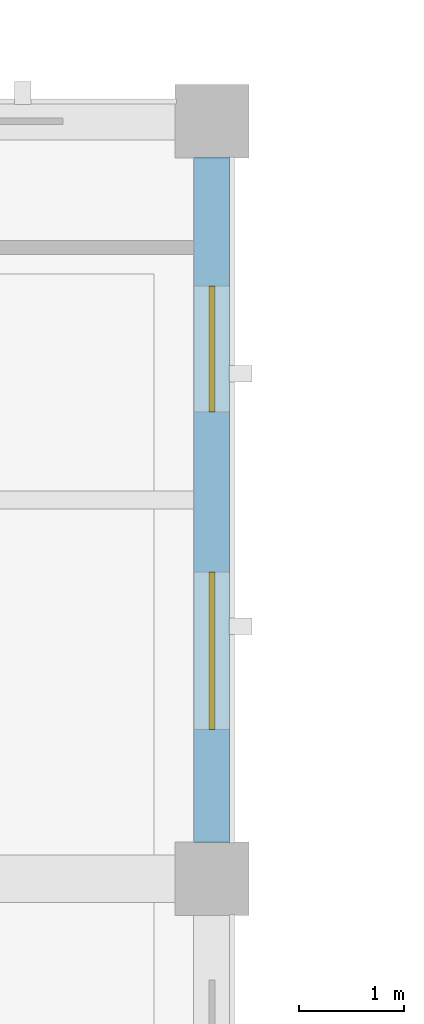
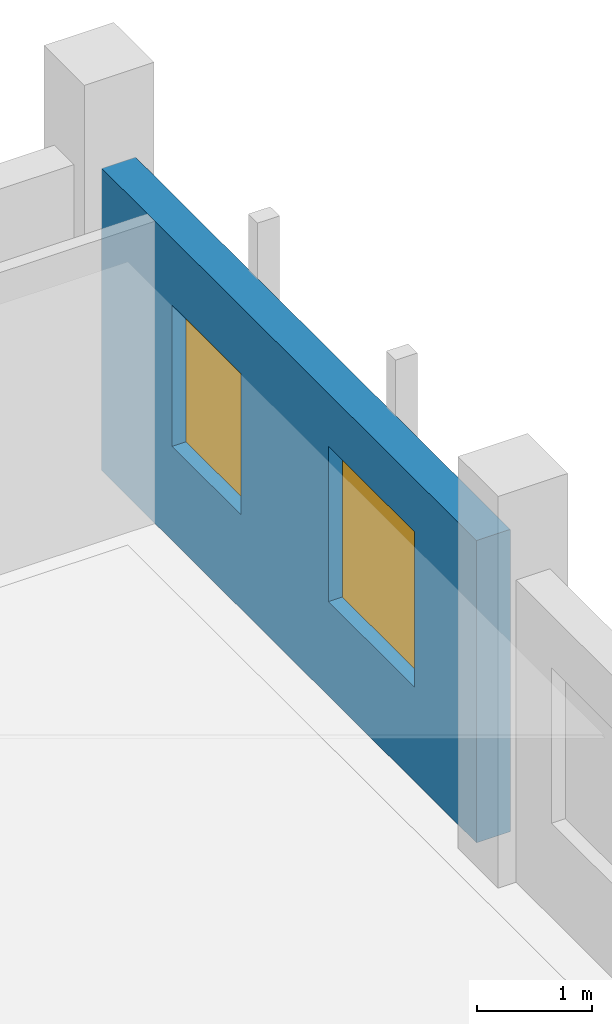
# One storey, part 44 of 62: 2 windows, 1 wall, 2 openings.
"""IFC4 building model written with IfcOpenShell, lengths in metres."""

from ifc_helpers import new_model, si_unit, direction, frame, frame_2d, origin, place, context, subcontext, project, spatial, rectangle, extrude, material, layer, layer_set, type_object, element, fill, save


model = new_model("IFC4")

# Units and contexts
model_context = context("Model", 3, precision=1e-05, world=origin(), true_north=direction((0.0, 1.0)))
body_context = subcontext(model_context, "Body", "Model", "MODEL_VIEW")
ifc_project = project(units=[si_unit("LENGTHUNIT", "METRE"), si_unit("AREAUNIT", "SQUARE_METRE"), si_unit("VOLUMEUNIT", "CUBIC_METRE"), si_unit("PLANEANGLEUNIT", "RADIAN"), si_unit("MASSUNIT", "GRAM", prefix="KILO")], contexts=[model_context])

# Site, building, storey
site_placement = place(None, origin())
site = spatial("IfcSite", under=ifc_project, at=site_placement, CompositionType="ELEMENT")
building_placement = place(site_placement, origin())
building = spatial("IfcBuilding", under=site, at=building_placement, Name="Valkovuoma Quantum and Materials Research Institute", CompositionType="ELEMENT")
storey_placement = place(building_placement, frame((0.0, 0.0, 8.9599609375)))
storey = spatial("IfcBuildingStorey", under=building, at=storey_placement, Name="L02", CompositionType="ELEMENT", Elevation=8.9599609375)

# Wall, openings, windows
ifc_material_1 = material(Name="Precast concrete C40/50", Category="concrete")
ifc_layer = layer(ifc_material_1, 0.340087890625)
ifc_layer_set = layer_set([ifc_layer], Name="Precast concrete C40/50")
wall_type = type_object("IfcWallType", Name="Wall-W-EXT340", PredefinedType="SOLIDWALL", material=ifc_layer_set)
wall_placement = place(storey_placement, frame((50.39990234375, 101.139892578125, 0.0), z_axis=(0.0, 0.0, 1.0), x_axis=(0.0, 1.0, 0.0)))
wall = element("IfcWall", 1, at=wall_placement, inside=storey, type_object=wall_type, Name="L02 exterior wall 0151", PredefinedType="SOLIDWALL", context=body_context, shape_type="SweptSolid", body=[
    extrude(rectangle(XDim=6.52001953125, YDim=0.340087890625, at=frame_2d((3.260009765625, 0.0))), origin(), (0.0, 0.0, 1.0), 3.2099609375),
])
opening_1_placement = place(wall_placement, frame((1.07568359375, 0.0, 1.0)))
opening_1 = element("IfcOpeningElement", 2, at=opening_1_placement, cuts=wall, Name="Opening WN-CL07", PredefinedType="OPENING", context=body_context, shape_type="SweptSolid", body=[
    extrude(rectangle(XDim=1.5, YDim=1.64990234375, at=frame_2d((0.75, 0.824951171875))), frame((0.0, 0.18017578125, 0.0), z_axis=(0.0, -1.0, 0.0), x_axis=(1.0, 0.0, 0.0)), (0.0, 0.0, 1.0), 0.360107421875),
])
opening_2_placement = place(wall_placement, frame((4.094482421875, 0.0, 1.0)))
opening_2 = element("IfcOpeningElement", 3, at=opening_2_placement, cuts=wall, Name="Opening WN-CL01", PredefinedType="OPENING", context=body_context, shape_type="SweptSolid", body=[
    extrude(rectangle(XDim=1.199951171875, YDim=1.5, at=frame_2d((0.60009765625, 0.75))), frame((0.0, 0.18017578125, 0.0), z_axis=(0.0, -1.0, 0.0), x_axis=(1.0, 0.0, 0.0)), (0.0, 0.0, 1.0), 0.360107421875),
])
ifc_material_2 = material(Name="Triple low-E argon glazing in thermally broken aluminium frame", Category="aluminium")
window_type_1 = type_object("IfcWindowType", Name="Win-WN-CL01", PartitioningType="SINGLE_PANEL", PredefinedType="WINDOW", material=ifc_material_2)
window_1_placement = place(opening_2_placement, origin())
window_1 = element("IfcWindow", 4, at=window_1_placement, inside=storey, type_object=window_type_1, Name="L02 window 0173", OverallHeight=1.5, OverallWidth=1.199951171875, PartitioningType="SINGLE_PANEL", PredefinedType="WINDOW", context=body_context, shape_type="SweptSolid", body=[
    extrude(rectangle(XDim=1.199951171875, YDim=1.5, at=frame_2d((0.60009765625, 0.75))), frame((0.0, 0.030029296875, 0.0), z_axis=(0.0, -1.0, 0.0), x_axis=(1.0, 0.0, 0.0)), (0.0, 0.0, 1.0), 0.06005859375),
])
fill(opening_2, window_1)
ifc_material_3 = material(Name="Triple low-E argon glazing in thermally broken aluminium frame", Category="aluminium")
window_type_2 = type_object("IfcWindowType", Name="Win-WN-CL07", PartitioningType="SINGLE_PANEL", PredefinedType="WINDOW", material=ifc_material_3)
window_2_placement = place(opening_1_placement, origin())
window_2 = element("IfcWindow", 5, at=window_2_placement, inside=storey, type_object=window_type_2, Name="L02 window 0172", OverallHeight=1.64990234375, OverallWidth=1.5, PartitioningType="SINGLE_PANEL", PredefinedType="WINDOW", context=body_context, shape_type="SweptSolid", body=[
    extrude(rectangle(XDim=1.5, YDim=1.64990234375, at=frame_2d((0.75, 0.824951171875))), frame((0.0, 0.030029296875, 0.0), z_axis=(0.0, -1.0, 0.0), x_axis=(1.0, 0.0, 0.0)), (0.0, 0.0, 1.0), 0.06005859375),
])
fill(opening_1, window_2)

save(model, "model.ifc")
